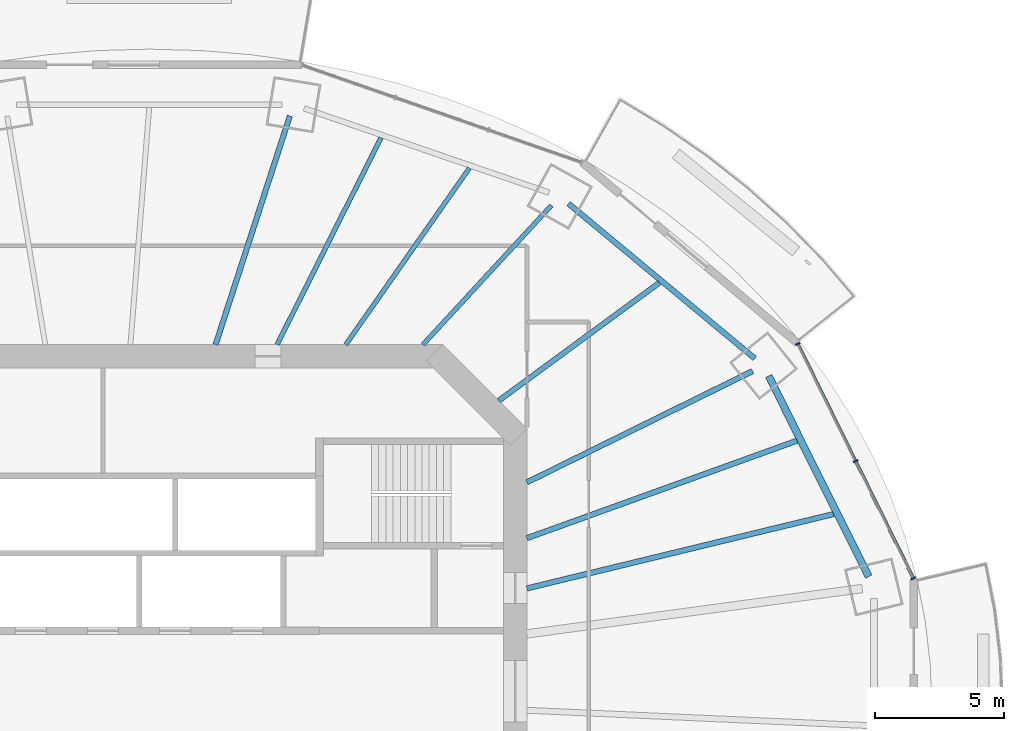
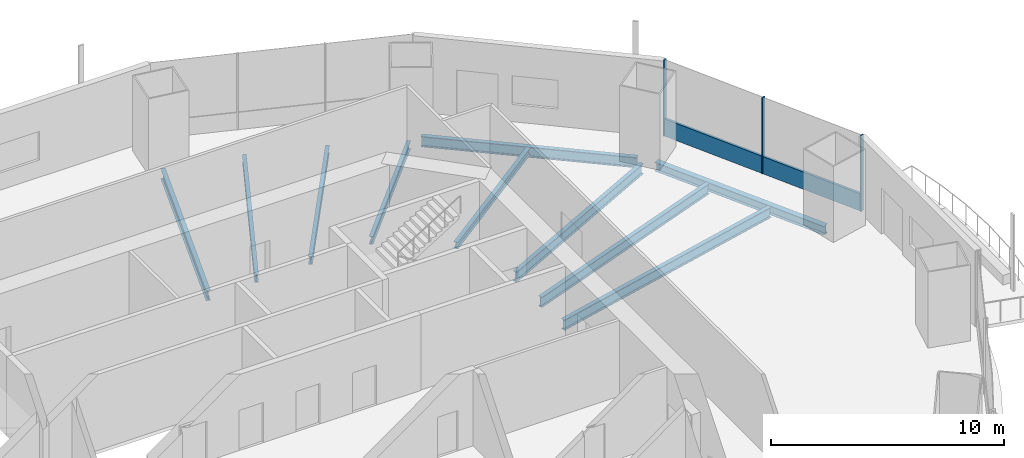
# One storey, part 7 of 19: 10 beams, 4 members, 1 element without a shape of its own.
"""IFC4 building model written with IfcOpenShell, lengths in metres."""

from ifc_helpers import new_model, si_unit, direction, frame, origin, origin_2d, place, context, subcontext, project, spatial, rectangle, i_section, extrude, material, material_profile, profile_set, type_object, element, aggregate, save


model = new_model("IFC4")

# Units and contexts
model_context = context("Model", 3, precision=1e-05, world=origin(), true_north=direction((0.0, 1.0)))
body_context = subcontext(model_context, "Body", "Model", "MODEL_VIEW")
ifc_project = project(units=[si_unit("LENGTHUNIT", "METRE"), si_unit("AREAUNIT", "SQUARE_METRE"), si_unit("VOLUMEUNIT", "CUBIC_METRE"), si_unit("PLANEANGLEUNIT", "RADIAN"), si_unit("MASSUNIT", "GRAM", prefix="KILO")], contexts=[model_context])

# Site, building, storey
site_placement = place(None, origin())
site = spatial("IfcSite", under=ifc_project, at=site_placement, CompositionType="ELEMENT")
building_placement = place(site_placement, origin())
building = spatial("IfcBuilding", under=site, at=building_placement, Name="Marenthal Gate Tower", CompositionType="ELEMENT")
storey_placement = place(building_placement, frame((0.0, 0.0, 244.050048828125)))
storey = spatial("IfcBuildingStorey", under=building, at=storey_placement, Name="L54", CompositionType="ELEMENT", Elevation=244.050048828125)

# Curtain wall, members
ifc_material_1 = material(Name="Aluminium and glass", Category="aluminium")
curtain_wall_type = type_object("IfcCurtainWallType", Name="Curtain wall typical mid", PredefinedType="NOTDEFINED", material=ifc_material_1)
curtain_wall_placement = place(storey_placement, origin())
curtain_wall = element("IfcCurtainWall", 1, at=curtain_wall_placement, inside=storey, type_object=curtain_wall_type, Name="Curtain wall L54 bay 1", PredefinedType="NOTDEFINED")
ifc_material_2 = material(Name="Aluminium", Category="aluminium")
ifc_material_profile_1 = material_profile(ifc_material_2, rectangle(XDim=0.179931640625, YDim=0.06005859375, at=origin_2d()), Name="60x180 aluminium mullion")
ifc_profile_set_1 = profile_set([ifc_material_profile_1], Name="Aluminium")
member_type_1 = type_object("IfcMemberType", Name="Mullion 60x180 typical mid", PredefinedType="MULLION", material=ifc_profile_set_1)
member_1_placement = place(storey_placement, frame((31.45068359375, 4.382080078125, 0.0), z_axis=(0.0, 0.0, 1.0), x_axis=(-0.896835471663, -0.442364258013, 0.0)))
member_1 = element("IfcMember", 2, at=member_1_placement, type_object=member_type_1, Name="Mullion L54 bay 1.1", PredefinedType="MULLION", context=body_context, shape_type="SweptSolid", body=[
    extrude(rectangle(XDim=0.179931640625, YDim=0.06005859375, at=origin_2d()), origin(), (0.0, 0.0, 1.0), 3.969970703125),
])
member_2_placement = place(storey_placement, frame((29.205810546875, 8.93310546875, 0.0), z_axis=(0.0, 0.0, 1.0), x_axis=(-0.896835471663, -0.442364258013, 0.0)))
member_2 = element("IfcMember", 3, at=member_2_placement, type_object=member_type_1, Name="Mullion L54 bay 1.2", PredefinedType="MULLION", context=body_context, shape_type="SweptSolid", body=[
    extrude(rectangle(XDim=0.179931640625, YDim=0.06005859375, at=origin_2d()), origin(), (0.0, 0.0, 1.0), 3.969970703125),
])
member_3_placement = place(storey_placement, frame((26.961181640625, 13.48388671875, 0.0), z_axis=(0.0, 0.0, 1.0), x_axis=(-0.896835471663, -0.442364258013, 0.0)))
member_3 = element("IfcMember", 4, at=member_3_placement, type_object=member_type_1, Name="Mullion L54 bay 1.3", PredefinedType="MULLION", context=body_context, shape_type="SweptSolid", body=[
    extrude(rectangle(XDim=0.179931640625, YDim=0.06005859375, at=origin_2d()), origin(), (0.0, 0.0, 1.0), 3.969970703125),
])
ifc_material_3 = material(Name="Aluminium", Category="aluminium")
ifc_material_profile_2 = material_profile(ifc_material_3, rectangle(XDim=0.1201171875, YDim=0.89990234375, at=origin_2d()), Name="120x900 aluminium transom")
ifc_profile_set_2 = profile_set([ifc_material_profile_2], Name="Aluminium")
member_type_2 = type_object("IfcMemberType", Name="Transom 120x900 typical mid", PredefinedType="USERDEFINED", material=ifc_profile_set_2)
member_4_placement = place(storey_placement, frame((31.437255859375, 4.408935546875, 0.449951171875), z_axis=(-0.442357544454, 0.896838783096, 0.0), x_axis=(-0.896838783096, -0.442357544454, 0.0)))
member_4 = element("IfcMember", 5, at=member_4_placement, type_object=member_type_2, Name="Transom L54 bay 1", ObjectType="TRANSOM", PredefinedType="USERDEFINED", context=body_context, shape_type="SweptSolid", body=[
    extrude(rectangle(XDim=0.1201171875, YDim=0.89990234375, at=origin_2d()), origin(), (0.0, 0.0, 1.0), 10.0888671875),
])
aggregate(curtain_wall, [member_1, member_2, member_3, member_4])

# Beams
ifc_material_4 = material(Name="Steel S355", Category="steel")
ifc_material_profile_3 = material_profile(ifc_material_4, i_section(OverallWidth=0.205078125, OverallDepth=0.35302734375, WebThickness=0.009521484375, FlangeThickness=0.016845703125, FilletRadius=0.014892578125, at=origin_2d()), Name="W360X79")
ifc_profile_set_3 = profile_set([ifc_material_profile_3], Name="Steel S355")
beam_type_1 = type_object("IfcBeamType", Name="W360X79 beam", PredefinedType="BEAM", material=ifc_profile_set_3)
beam_1_placement = place(storey_placement, frame((21.591796875, 15.854248046875, -0.3564453125), z_axis=(-0.806043496399, -0.591856301743, 0.0), x_axis=(0.591856301743, -0.806043496399, 0.0)))
element("IfcBeam", 6, at=beam_1_placement, inside=storey, type_object=beam_type_1, Name="BM-L54-19", PredefinedType="BEAM", context=body_context, shape_type="SweptSolid", body=[
    extrude(i_section(OverallWidth=0.205078125, OverallDepth=0.35302734375, WebThickness=0.009521484375, FlangeThickness=0.016845703125, FilletRadius=0.014892578125, at=origin_2d()), origin(), (0.0, 0.0, 1.0), 7.732666015625),
])
ifc_material_5 = material(Name="Steel S355", Category="steel")
ifc_material_profile_4 = material_profile(ifc_material_5, i_section(OverallWidth=0.180908203125, OverallDepth=0.4169921875, WebThickness=0.010986328125, FlangeThickness=0.018310546875, FilletRadius=0.01025390625, at=origin_2d()), Name="W410X85")
ifc_profile_set_4 = profile_set([ifc_material_profile_4], Name="Steel S355")
beam_type_2 = type_object("IfcBeamType", Name="W410X85 beam", PredefinedType="BEAM", material=ifc_profile_set_4)
beam_2_placement = place(storey_placement, frame((17.4013671875, 18.853759765625, -0.388427734375), z_axis=(-0.678237355603, -0.734842901214, 0.0), x_axis=(0.734842901214, -0.678237355603, 0.0)))
element("IfcBeam", 7, at=beam_2_placement, inside=storey, type_object=beam_type_2, Name="BM-L54-03", PredefinedType="BEAM", context=body_context, shape_type="SweptSolid", body=[
    extrude(i_section(OverallWidth=0.180908203125, OverallDepth=0.4169921875, WebThickness=0.010986328125, FlangeThickness=0.018310546875, FilletRadius=0.01025390625, at=origin_2d()), origin(), (0.0, 0.0, 1.0), 7.353759765625),
])
beam_3_placement = place(storey_placement, frame((14.2177734375, 20.300048828125, -0.388427734375), z_axis=(-0.573666087874, -0.819089262305, 0.0), x_axis=(0.819089262305, -0.573666087874, 0.0)))
element("IfcBeam", 8, at=beam_3_placement, inside=storey, type_object=beam_type_2, Name="BM-L54-20", PredefinedType="BEAM", context=body_context, shape_type="SweptSolid", body=[
    extrude(i_section(OverallWidth=0.180908203125, OverallDepth=0.4169921875, WebThickness=0.010986328125, FlangeThickness=0.018310546875, FilletRadius=0.01025390625, at=origin_2d()), origin(), (0.0, 0.0, 1.0), 8.363037109375),
])
beam_4_placement = place(storey_placement, frame((10.788818359375, 21.480224609375, -0.388427734375), z_axis=(-0.448842934274, -0.89361066486, 0.0), x_axis=(0.89361066486, -0.448842934274, 0.0)))
element("IfcBeam", 9, at=beam_4_placement, inside=storey, type_object=beam_type_2, Name="BM-L54-21", PredefinedType="BEAM", context=body_context, shape_type="SweptSolid", body=[
    extrude(i_section(OverallWidth=0.180908203125, OverallDepth=0.4169921875, WebThickness=0.010986328125, FlangeThickness=0.018310546875, FilletRadius=0.01025390625, at=origin_2d()), origin(), (0.0, 0.0, 1.0), 8.986328125),
])
ifc_material_6 = material(Name="Steel S355", Category="steel")
ifc_material_profile_5 = material_profile(ifc_material_6, i_section(OverallWidth=0.279052734375, OverallDepth=0.4619140625, WebThickness=0.0107421875, FlangeThickness=0.017333984375, FilletRadius=0.010009765625, at=origin_2d()), Name="W460X113")
ifc_profile_set_5 = profile_set([ifc_material_profile_5], Name="Steel S355")
beam_type_3 = type_object("IfcBeamType", Name="W460X113 beam", PredefinedType="BEAM", material=ifc_profile_set_5)
beam_5_placement = place(storey_placement, frame((29.713623046875, 4.44921875, -0.4111328125), z_axis=(-0.446112921938, 0.894976681752, 0.0), x_axis=(-0.894976681752, -0.446112921938, 0.0)))
element("IfcBeam", 10, at=beam_5_placement, inside=storey, type_object=beam_type_3, Name="BM-L54-41", PredefinedType="BEAM", context=body_context, shape_type="SweptSolid", body=[
    extrude(i_section(OverallWidth=0.279052734375, OverallDepth=0.4619140625, WebThickness=0.0107421875, FlangeThickness=0.017333984375, FilletRadius=0.010009765625, at=origin_2d()), origin(), (0.0, 0.0, 1.0), 8.69775390625),
])
ifc_material_7 = material(Name="Steel S355", Category="steel")
ifc_material_profile_6 = material_profile(ifc_material_7, i_section(OverallWidth=0.2099609375, OverallDepth=0.535888671875, WebThickness=0.010986328125, FlangeThickness=0.017333984375, FilletRadius=0.0126953125, at=origin_2d()), Name="W530X101")
ifc_profile_set_6 = profile_set([ifc_material_profile_6], Name="Steel S355")
beam_type_4 = type_object("IfcBeamType", Name="W530X101 beam", PredefinedType="BEAM", material=ifc_profile_set_6)
beam_6_placement = place(storey_placement, frame((25.20947265625, 12.423828125, -0.447998046875), z_axis=(-0.896987399535, -0.442056110777, 0.0), x_axis=(0.442056110777, -0.896987399535, 0.0)))
element("IfcBeam", 11, at=beam_6_placement, inside=storey, type_object=beam_type_4, Name="BM-L54-02", PredefinedType="BEAM", context=body_context, shape_type="SweptSolid", body=[
    extrude(i_section(OverallWidth=0.2099609375, OverallDepth=0.535888671875, WebThickness=0.010986328125, FlangeThickness=0.017333984375, FilletRadius=0.0126953125, at=origin_2d()), origin(), (0.0, 0.0, 1.0), 9.765380859375),
])
beam_7_placement = place(storey_placement, frame((7.25, 22.322998046875, -0.447998046875), z_axis=(-0.308901447046, -0.951094052138, 0.0), x_axis=(0.951094052138, -0.308901447046, 0.0)))
element("IfcBeam", 12, at=beam_7_placement, inside=storey, type_object=beam_type_4, Name="BM-L54-04", PredefinedType="BEAM", context=body_context, shape_type="SweptSolid", body=[
    extrude(i_section(OverallWidth=0.2099609375, OverallDepth=0.535888671875, WebThickness=0.010986328125, FlangeThickness=0.017333984375, FilletRadius=0.0126953125, at=origin_2d()), origin(), (0.0, 0.0, 1.0), 9.329345703125),
])
beam_8_placement = place(storey_placement, frame((26.9287109375, 9.723388671875, -0.447998046875), z_axis=(-0.940562649945, -0.339620231329, 0.0), x_axis=(0.339620231329, -0.940562649945, 0.0)))
element("IfcBeam", 13, at=beam_8_placement, inside=storey, type_object=beam_type_4, Name="BM-L54-18", PredefinedType="BEAM", context=body_context, shape_type="SweptSolid", body=[
    extrude(i_section(OverallWidth=0.2099609375, OverallDepth=0.535888671875, WebThickness=0.010986328125, FlangeThickness=0.017333984375, FilletRadius=0.0126953125, at=origin_2d()), origin(), (0.0, 0.0, 1.0), 11.140869140625),
])
ifc_material_8 = material(Name="Steel S355", Category="steel")
ifc_material_profile_7 = material_profile(ifc_material_8, i_section(OverallWidth=0.2119140625, OverallDepth=0.5439453125, WebThickness=0.01318359375, FlangeThickness=0.021240234375, FilletRadius=0.0126953125, at=origin_2d()), Name="W530X123")
ifc_profile_set_7 = profile_set([ifc_material_profile_7], Name="Steel S355")
beam_type_5 = type_object("IfcBeamType", Name="W530X123 beam", PredefinedType="BEAM", material=ifc_profile_set_7)
beam_9_placement = place(storey_placement, frame((28.348388671875, 6.875244140625, -0.4521484375), z_axis=(-0.97182630342, -0.235698188329, 0.0), x_axis=(0.235698188329, -0.97182630342, 0.0)))
element("IfcBeam", 14, at=beam_9_placement, inside=storey, type_object=beam_type_5, Name="BM-L54-17", PredefinedType="BEAM", context=body_context, shape_type="SweptSolid", body=[
    extrude(i_section(OverallWidth=0.2119140625, OverallDepth=0.5439453125, WebThickness=0.01318359375, FlangeThickness=0.021240234375, FilletRadius=0.0126953125, at=origin_2d()), origin(), (0.0, 0.0, 1.0), 12.243408203125),
])
beam_10_placement = place(storey_placement, frame((25.292724609375, 12.916748046875, -0.4521484375), z_axis=(-0.769136149311, 0.63908495822, 0.0), x_axis=(-0.63908495822, -0.769136149311, 0.0)))
element("IfcBeam", 15, at=beam_10_placement, inside=storey, type_object=beam_type_5, Name="BM-L54-42", PredefinedType="BEAM", context=body_context, shape_type="SweptSolid", body=[
    extrude(i_section(OverallWidth=0.2119140625, OverallDepth=0.5439453125, WebThickness=0.01318359375, FlangeThickness=0.021240234375, FilletRadius=0.0126953125, at=origin_2d()), origin(), (0.0, 0.0, 1.0), 9.397705078125),
])

save(model, "model.ifc")
